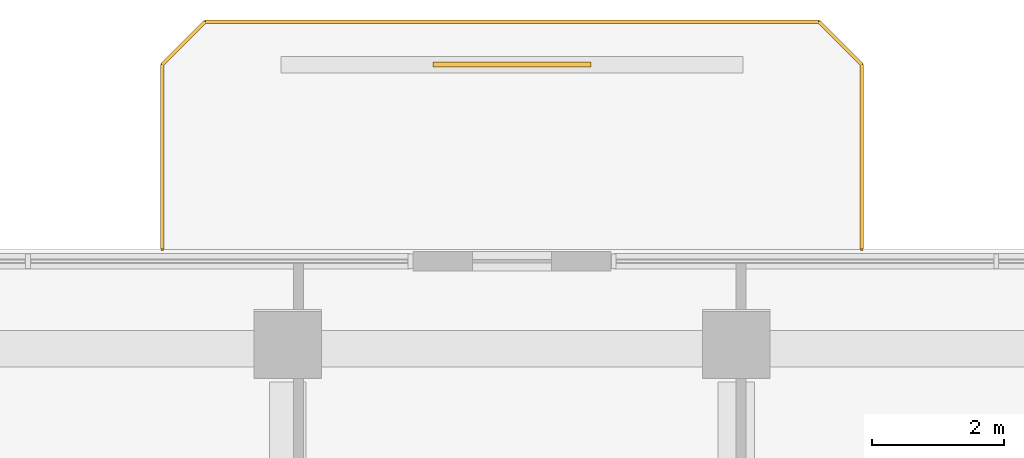
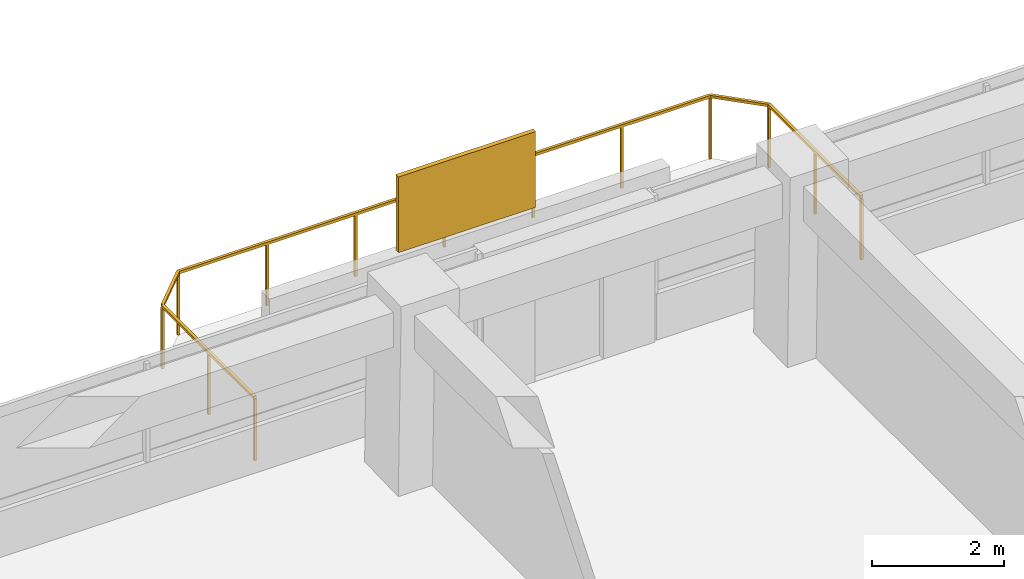
# One storey, part 13 of 13: 1 railing, 1 shading device.
"""IFC4 building model written with IfcOpenShell, lengths in metres."""

import ifcopenshell
import ifcopenshell.guid

model = None  # the IFC model being written
_history = None  # IfcOwnerHistory: only IFC2X3 demands one
_inside = {}  # id of a spatial element -> (the spatial element, [elements in it])
_under = {}  # id of a project, library or spatial element -> (it, [spatial elements below it])
_declared = {}  # id of a project -> (the project, [libraries it declares])
_typed = {}  # id of a type object -> (the type object, [elements of that type])
_made_of = {}  # id of a material, layer set ... -> (it, [elements and type objects made of it])


def new_model(schema):
    """Start an empty IFC model of exactly this schema.

    Asked for "IFC4X3", IfcOpenShell would pick the latest addendum, in which some entities
    have other attributes; the version numbers below select the first issue.
    IFC2X3 requires an IfcOwnerHistory on every rooted entity: one is made here for all.
    """
    global model, _history
    if schema == "IFC4X3":
        model = ifcopenshell.file(schema_version=(4, 3, 0, 0))
    else:
        model = ifcopenshell.file(schema=schema)
    _inside.clear()
    _under.clear()
    _declared.clear()
    _typed.clear()
    _made_of.clear()
    _history = None
    if model.schema == "IFC2X3":
        org = make("IfcOrganization", Name="unknown")
        user = make(
            "IfcPersonAndOrganization",
            ThePerson=make("IfcPerson", FamilyName="unknown"),
            TheOrganization=org,
        )
        app = make(
            "IfcApplication",
            ApplicationDeveloper=org,
            Version="unknown",
            ApplicationFullName="unknown",
            ApplicationIdentifier="unknown",
        )
        _history = make(
            "IfcOwnerHistory",
            OwningUser=user,
            OwningApplication=app,
            ChangeAction="ADDED",
            CreationDate=0,
        )
    return model


def make(cls, **values):
    """One entity of the class cls with the attributes given. An attribute that is None is left unset."""
    return model.create_entity(
        cls, **{name: value for name, value in values.items() if value is not None}
    )


def rooted(cls, **values):
    """An entity with a GlobalId (a new one), such as an element, a storey or a relation."""
    return make(cls, GlobalId=ifcopenshell.guid.new(), OwnerHistory=_history, **values)


def si_unit(unit_type, name, prefix=None):
    """IfcSIUnit, for example si_unit("LENGTHUNIT", "METRE", prefix="MILLI")."""
    return make("IfcSIUnit", UnitType=unit_type, Prefix=prefix, Name=name)


def derived_unit(unit_type, elements):
    """IfcDerivedUnit: a product of units, each with its exponent."""
    return make(
        "IfcDerivedUnit",
        Elements=[
            make("IfcDerivedUnitElement", Unit=unit, Exponent=power)
            for unit, power in elements
        ],
        UnitType=unit_type,
    )


def assignment(units):
    """IfcUnitAssignment: the units of a project."""
    return None if units is None else make("IfcUnitAssignment", Units=units)


def point(xyz):
    """IfcCartesianPoint."""
    return None if xyz is None else make("IfcCartesianPoint", Coordinates=xyz)


def direction(xyz):
    """IfcDirection."""
    return None if xyz is None else make("IfcDirection", DirectionRatios=xyz)


def frame(location, z_axis=None, x_axis=None):
    """IfcAxis2Placement3D, a coordinate frame: its origin and axes. An axis left out is left unset."""
    return make(
        "IfcAxis2Placement3D",
        Location=point(location),
        Axis=direction(z_axis),
        RefDirection=direction(x_axis),
    )


def frame_2d(location, x_axis=None):
    """IfcAxis2Placement2D, a coordinate frame in the plane: its origin and x axis."""
    return make(
        "IfcAxis2Placement2D", Location=point(location), RefDirection=direction(x_axis)
    )


def origin():
    """The frame at (0, 0, 0) with its axes left unset."""
    return frame((0.0, 0.0, 0.0))


def origin_2d():
    """The frame at (0, 0) in the plane with its x axis left unset."""
    return frame_2d((0.0, 0.0))


def place(relative_to, where):
    """IfcLocalPlacement: puts the frame where relative to a parent placement (None: the world)."""
    return make(
        "IfcLocalPlacement", PlacementRelTo=relative_to, RelativePlacement=where
    )


def context(
    kind, dimensions, precision=None, world=None, true_north=None, identifier=None
):
    """IfcGeometricRepresentationContext, for example the 3D "Model" context."""
    return make(
        "IfcGeometricRepresentationContext",
        ContextIdentifier=identifier,
        ContextType=kind,
        CoordinateSpaceDimension=dimensions,
        Precision=precision,
        WorldCoordinateSystem=world,
        TrueNorth=true_north,
    )


def subcontext(parent, identifier, kind, view, scale=None):
    """IfcGeometricRepresentationSubContext, for example "Body" below "Model"."""
    return make(
        "IfcGeometricRepresentationSubContext",
        ContextIdentifier=identifier,
        ContextType=kind,
        ParentContext=parent,
        TargetScale=scale,
        TargetView=view,
    )


def project(units=None, contexts=None):
    """IfcProject with its units and contexts."""
    return rooted(
        "IfcProject",
        Name="project",
        RepresentationContexts=contexts,
        UnitsInContext=assignment(units),
    )


def spatial(cls, under=None, at=None, **own):
    """A site, building, storey or space (cls), placed at a placement, below another one or the project."""
    s = rooted(cls, ObjectPlacement=at, **own)
    if under is not None:
        _under.setdefault(under.id(), (under, []))[1].append(s)
    return s


def profile(cls, at=None, kind="AREA", **sizes):
    """A parametric profile (cls). Its sizes go by their IFC names, for example OverallWidth=200.0."""
    return make(cls, ProfileType=kind, Position=at, **sizes)


def rectangle(**sizes):
    """IfcRectangleProfileDef."""
    return profile("IfcRectangleProfileDef", **sizes)


def extrude(swept, where, along, depth):
    """IfcExtrudedAreaSolid: the profile swept, set in the frame where, extruded along a direction by depth."""
    return make(
        "IfcExtrudedAreaSolid",
        SweptArea=swept,
        Position=where,
        ExtrudedDirection=direction(along),
        Depth=depth,
    )


def shape(context_of_items, identifier, shape_type, items):
    """IfcShapeRepresentation: the items that make up one representation, for example the "Body"."""
    return make(
        "IfcShapeRepresentation",
        ContextOfItems=context_of_items,
        RepresentationIdentifier=identifier,
        RepresentationType=shape_type,
        Items=items,
    )


def material(Name=None, Category=None):
    """IfcMaterial."""
    return make("IfcMaterial", Name=Name, Category=Category)


def layer(
    of_material, thickness, ventilated=None, Name=None, Category=None, Priority=None
):
    """IfcMaterialLayer: one layer of a wall or slab, of a material (None: an air gap)."""
    return make(
        "IfcMaterialLayer",
        Material=of_material,
        LayerThickness=thickness,
        IsVentilated=ventilated,
        Name=Name,
        Category=Category,
        Priority=Priority,
    )


def layer_set(layers, Name=None):
    """IfcMaterialLayerSet."""
    return make("IfcMaterialLayerSet", MaterialLayers=layers, LayerSetName=Name)


def made_of(thing, what):
    """Note that an element or type object is made of a material, layer set ...; save() writes the relation."""
    if what is not None:
        _made_of.setdefault(what.id(), (what, []))[1].append(thing)
    return thing


def type_object(cls, material=None, **own):
    """A type object (cls), such as IfcWallType, which elements share."""
    return made_of(rooted(cls, **own), material)


def element(
    cls,
    number,
    at=None,
    inside=None,
    cuts=None,
    type_object=None,
    material=None,
    context=None,
    identifier="Body",
    shape_type=None,
    held_by="IfcProductDefinitionShape",
    body=None,
    shapes=None,
    **own,
):
    """One element of the class cls, such as IfcWall. Its Tag is "e" and its number.

    at: its placement. inside: the storey or other place that contains it. cuts: it is an
    opening in that element (IfcRelVoidsElement). A single representation is given by context,
    identifier, shape_type and body (its items); several are given by shapes. held_by: the class
    of the entity that holds the representations. save() writes the other relations.
    """
    e = rooted(cls, Tag="e%d" % number, ObjectPlacement=at, **own)
    if body is not None:
        shapes = [shape(context, identifier, shape_type, body)]
    if shapes is not None:
        e.Representation = make(held_by, Representations=shapes)
    if inside is not None:
        _inside.setdefault(inside.id(), (inside, []))[1].append(e)
    if cuts is not None:
        rooted(
            "IfcRelVoidsElement", RelatingBuildingElement=cuts, RelatedOpeningElement=e
        )
    if type_object is not None:
        _typed.setdefault(type_object.id(), (type_object, []))[1].append(e)
    return made_of(e, material)


def aggregate(whole, parts):
    """IfcRelAggregates: a whole, such as a stair, and the parts it consists of."""
    return rooted("IfcRelAggregates", RelatingObject=whole, RelatedObjects=parts)


def save(model, path):
    """Write the relations noted so far, then the file.

    IfcRelAggregates (storeys below a building ...), IfcRelContainedInSpatialStructure (elements
    in a storey), IfcRelDefinesByType, IfcRelAssociatesMaterial and IfcRelDeclares: one each for
    every whole, place, type object, material and project.
    """
    for whole, parts in _under.values():
        aggregate(whole, parts)
    for where, things in _inside.values():
        rooted(
            "IfcRelContainedInSpatialStructure",
            RelatedElements=things,
            RelatingStructure=where,
        )
    for kind, things in _typed.values():
        rooted("IfcRelDefinesByType", RelatedObjects=things, RelatingType=kind)
    for what, things in _made_of.values():
        rooted("IfcRelAssociatesMaterial", RelatedObjects=things, RelatingMaterial=what)
    for by, libraries in _declared.values():
        rooted("IfcRelDeclares", RelatingContext=by, RelatedDefinitions=libraries)
    model.write(path)


model = new_model("IFC4")

# Units and contexts
model_context = context("Model", 3, precision=1e-05, world=origin(), true_north=direction((0.0, 1.0)))
body_context = subcontext(model_context, "Body", "Model", "MODEL_VIEW")
ifc_project = project(units=[si_unit("LENGTHUNIT", "METRE"), si_unit("AREAUNIT", "SQUARE_METRE"), si_unit("VOLUMEUNIT", "CUBIC_METRE"), si_unit("PLANEANGLEUNIT", "RADIAN"), si_unit("MASSUNIT", "GRAM", prefix="KILO"), derived_unit("THERMALTRANSMITTANCEUNIT", [(si_unit("POWERUNIT", "WATT"), 1), (si_unit("LENGTHUNIT", "METRE"), -2), (si_unit("THERMODYNAMICTEMPERATUREUNIT", "KELVIN"), -1)])], contexts=[model_context])

# Site, building, storey
site_placement = place(None, origin())
site = spatial("IfcSite", under=ifc_project, at=site_placement, CompositionType="ELEMENT")
building_placement = place(site_placement, origin())
building = spatial("IfcBuilding", under=site, at=building_placement, Name="Koralith Skygarden Medical Center", CompositionType="ELEMENT")
storey_placement = place(building_placement, frame((0.0, 0.0, 109.97998046875)))
storey = spatial("IfcBuildingStorey", under=building, at=storey_placement, Name="L28", CompositionType="ELEMENT", Elevation=109.97998046875)

# Railing
ifc_material_1 = material(Name="Steel ASTM A500 Grade C", Category="steel")
railing_type = type_object("IfcRailingType", Name="Outdoor Terrace & Balcony Safety Guardrail 1180", PredefinedType="GUARDRAIL", material=ifc_material_1)
railing_placement = place(storey_placement, frame((42.300048828125, 47.76904296875, 0.0)))
element("IfcRailing", 1, at=railing_placement, inside=storey, type_object=railing_type, Name="L28 N Balcony Perimeter Guardrail", PredefinedType="GUARDRAIL", context=body_context, shape_type="SweptSolid", body=[
    extrude(rectangle(XDim=0.050048828125, YDim=0.050048828125, at=origin_2d()), frame((0.0, 0.001953125, 1.15478515625), z_axis=(0.0, 1.0, 0.0), x_axis=(-1.0, 0.0, 0.0)), (0.0, 0.0, 1.0), 2.796142578125),
    extrude(rectangle(XDim=0.050048828125, YDim=0.050048828125, at=origin_2d()), frame((-0.00146484375, 2.801513671875, 1.15478515625), z_axis=(-0.707239558722, 0.706973978714, 0.0), x_axis=(-0.706973978714, -0.707239558722, 0.0)), (0.0, 0.0, 1.0), 0.915283203125),
    extrude(rectangle(XDim=0.050048828125, YDim=0.050048828125, at=origin_2d()), frame((-0.652099609375, 3.449951171875, 1.15478515625), z_axis=(-1.0, 0.0, 0.0), x_axis=(0.0, -1.0, 0.0)), (0.0, 0.0, 1.0), 9.2958984375),
    extrude(rectangle(XDim=0.050048828125, YDim=0.050048828125, at=origin_2d()), frame((-9.951416015625, 3.448486328125, 1.15478515625), z_axis=(-0.707239558722, -0.706973978714, 0.0), x_axis=(0.706973978714, -0.707239558722, 0.0)), (0.0, 0.0, 1.0), 0.915283203125),
    extrude(rectangle(XDim=0.050048828125, YDim=0.050048828125, at=origin_2d()), frame((-10.60009765625, 2.798095703125, 1.15478515625), z_axis=(0.0, -1.0, 0.0), x_axis=(1.0, 0.0, 0.0)), (0.0, 0.0, 1.0), 2.796142578125),
    extrude(rectangle(XDim=0.0419921875, YDim=0.0419921875, at=origin_2d()), origin(), (0.0, 0.0, 1.0), 1.1279296875),
    extrude(rectangle(XDim=0.0419921875, YDim=0.0419921875, at=origin_2d()), frame((0.0, 1.39990234375, 0.0)), (0.0, 0.0, 1.0), 1.1279296875),
    extrude(rectangle(XDim=0.0419921875, YDim=0.0419921875, at=origin_2d()), frame((0.0, 2.800048828125, 0.0)), (0.0, 0.0, 1.0), 1.1279296875),
    extrude(rectangle(XDim=0.0419921875, YDim=0.0419921875, at=origin_2d()), frame((-0.650146484375, 3.449951171875, 0.0)), (0.0, 0.0, 1.0), 1.1279296875),
    extrude(rectangle(XDim=0.0419921875, YDim=0.0419921875, at=origin_2d()), frame((-2.2001953125, 3.449951171875, 0.0)), (0.0, 0.0, 1.0), 1.1279296875),
    extrude(rectangle(XDim=0.0419921875, YDim=0.0419921875, at=origin_2d()), frame((-3.75, 3.449951171875, 0.0)), (0.0, 0.0, 1.0), 1.1279296875),
    extrude(rectangle(XDim=0.0419921875, YDim=0.0419921875, at=origin_2d()), frame((-5.300048828125, 3.449951171875, 0.0)), (0.0, 0.0, 1.0), 1.1279296875),
    extrude(rectangle(XDim=0.0419921875, YDim=0.0419921875, at=origin_2d()), frame((-6.85009765625, 3.449951171875, 0.0)), (0.0, 0.0, 1.0), 1.1279296875),
    extrude(rectangle(XDim=0.0419921875, YDim=0.0419921875, at=origin_2d()), frame((-8.39990234375, 3.449951171875, 0.0)), (0.0, 0.0, 1.0), 1.1279296875),
    extrude(rectangle(XDim=0.0419921875, YDim=0.0419921875, at=origin_2d()), frame((-9.949951171875, 3.449951171875, 0.0)), (0.0, 0.0, 1.0), 1.1279296875),
    extrude(rectangle(XDim=0.0419921875, YDim=0.0419921875, at=origin_2d()), frame((-10.60009765625, 2.800048828125, 0.0)), (0.0, 0.0, 1.0), 1.1279296875),
    extrude(rectangle(XDim=0.0419921875, YDim=0.0419921875, at=origin_2d()), frame((-10.60009765625, 1.39990234375, 0.0)), (0.0, 0.0, 1.0), 1.1279296875),
    extrude(rectangle(XDim=0.0419921875, YDim=0.0419921875, at=origin_2d()), frame((-10.60009765625, 0.0, 0.0)), (0.0, 0.0, 1.0), 1.1279296875),
])

# Shading device
ifc_material_2 = material(Name="Aluminium 6063-T6", Category="aluminium")
ifc_layer = layer(ifc_material_2, 0.080078125)
ifc_layer_set = layer_set([ifc_layer], Name="Aluminium 6063-T6")
shading_device_type = type_object("IfcShadingDeviceType", Name="Perforated Biophilic Balcony Trellis Screen", PredefinedType="USERDEFINED", material=ifc_layer_set)
shading_device_placement = place(storey_placement, frame((37.0, 50.569091796875, 0.719970703125), z_axis=(0.0, 0.0, 1.0), x_axis=(1.0, 0.0, 0.0)))
element("IfcShadingDevice", 2, at=shading_device_placement, inside=storey, type_object=shading_device_type, Name="L28 N Biophilic Balcony Trellis Screen", ObjectType="HURRICANE SCREEN", PredefinedType="USERDEFINED", context=body_context, shape_type="SweptSolid", body=[
    extrude(rectangle(XDim=2.39990234375, YDim=0.080078125, at=origin_2d()), origin(), (0.0, 0.0, 1.0), 1.39990234375),
])

save(model, "model.ifc")
